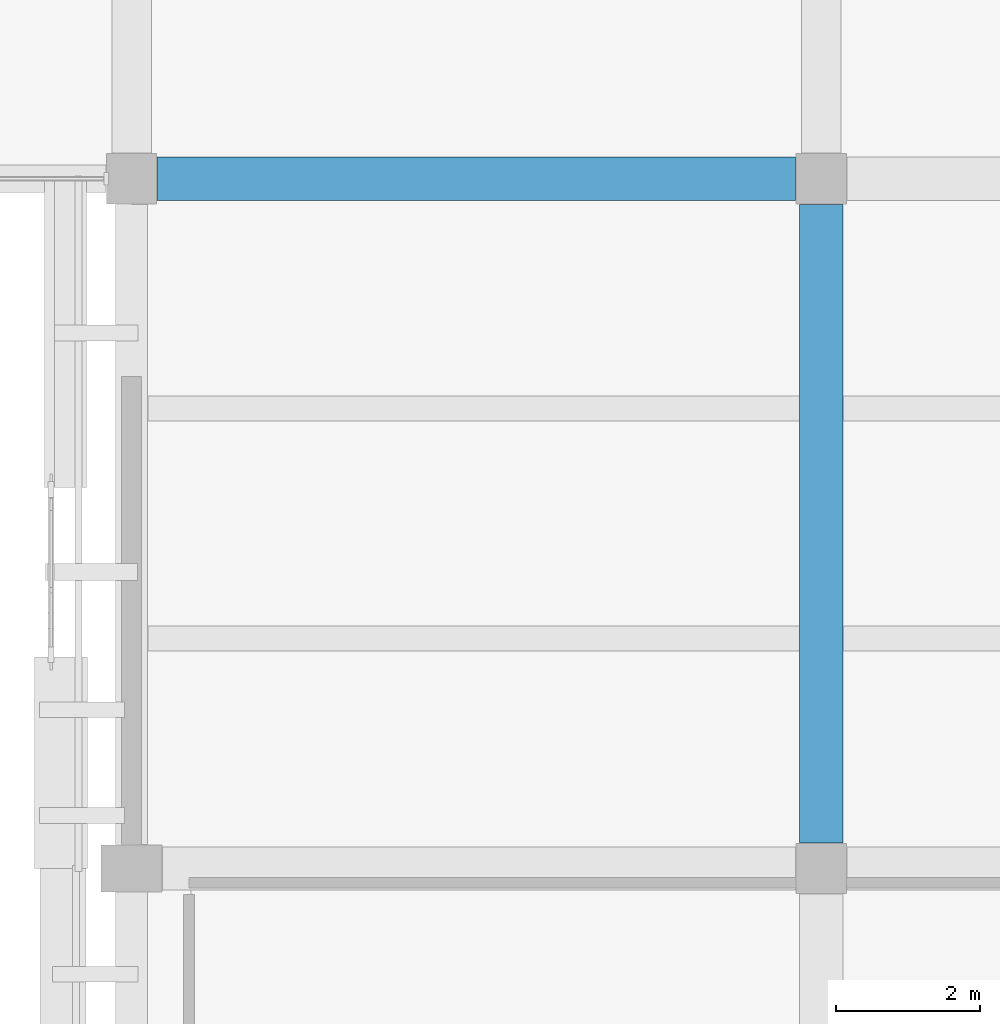
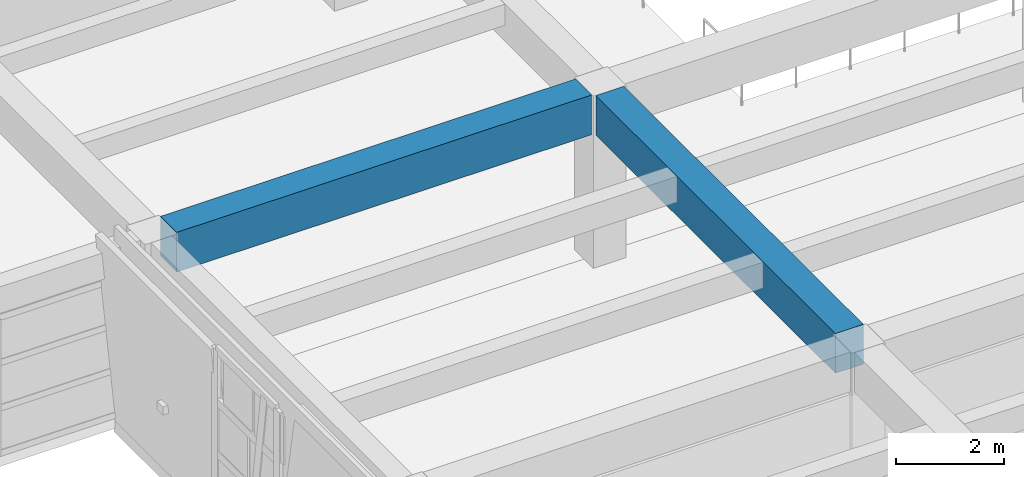
# One storey, part 8 of 62: 2 beams.
"""IFC4 building model written with IfcOpenShell, lengths in metres."""

from ifc_helpers import new_model, si_unit, direction, frame, origin, origin_2d, place, context, subcontext, project, spatial, rectangle, extrude, material, material_profile, profile_set, type_object, element, save


model = new_model("IFC4")

# Units and contexts
model_context = context("Model", 3, precision=1e-05, world=origin(), true_north=direction((0.0, 1.0)))
body_context = subcontext(model_context, "Body", "Model", "MODEL_VIEW")
ifc_project = project(units=[si_unit("LENGTHUNIT", "METRE"), si_unit("AREAUNIT", "SQUARE_METRE"), si_unit("VOLUMEUNIT", "CUBIC_METRE"), si_unit("PLANEANGLEUNIT", "RADIAN"), si_unit("MASSUNIT", "GRAM", prefix="KILO")], contexts=[model_context])

# Site, building, storey
site_placement = place(None, origin())
site = spatial("IfcSite", under=ifc_project, at=site_placement, CompositionType="ELEMENT")
building_placement = place(site_placement, origin())
building = spatial("IfcBuilding", under=site, at=building_placement, Name="Bempovik Park Faculty of Sciences", CompositionType="ELEMENT")
storey_placement = place(building_placement, frame((0.0, 0.0, 9.89990234375)))
storey = spatial("IfcBuildingStorey", under=building, at=storey_placement, Name="L02", CompositionType="ELEMENT", Elevation=9.89990234375)

# Beams
ifc_material = material(Name="Concrete C40/50", Category="concrete")
ifc_material_profile = material_profile(ifc_material, rectangle(XDim=0.60009765625, YDim=0.89990234375, at=origin_2d()), Name="RC 600x900")
ifc_profile_set = profile_set([ifc_material_profile], Name="Concrete C40/50")
beam_type = type_object("IfcBeamType", Name="B-115 RC 600x900", PredefinedType="BEAM", material=ifc_profile_set)
beam_1_placement = place(storey_placement, frame((60.35595703125, 67.800048828125, 3.4501953125), z_axis=(1.0, 0.0, 0.0), x_axis=(0.0, 1.0, 0.0)))
element("IfcBeam", 1, at=beam_1_placement, inside=storey, type_object=beam_type, Name="L02 Beam X (60.0-69.6, y=67.8)", PredefinedType="BEAM", context=body_context, shape_type="SweptSolid", body=[
    extrude(rectangle(XDim=0.60009765625, YDim=0.89990234375, at=origin_2d()), origin(), (0.0, 0.0, 1.0), 8.887939453125),
])
beam_2_placement = place(storey_placement, frame((69.60009765625, 58.555908203125, 3.4501953125), z_axis=(0.0, 1.0, 0.0), x_axis=(-1.0, 0.0, 0.0)))
element("IfcBeam", 2, at=beam_2_placement, inside=storey, type_object=beam_type, Name="L02 Beam Y (x=69.6, 58.2-67.8)", PredefinedType="BEAM", context=body_context, shape_type="SweptSolid", body=[
    extrude(rectangle(XDim=0.60009765625, YDim=0.89990234375, at=origin_2d()), origin(), (0.0, 0.0, 1.0), 8.88818359375),
])

save(model, "model.ifc")
